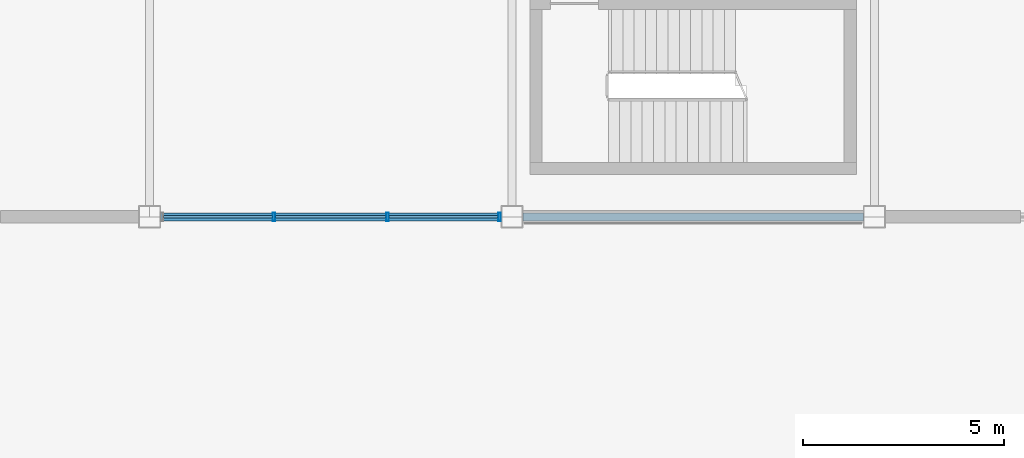
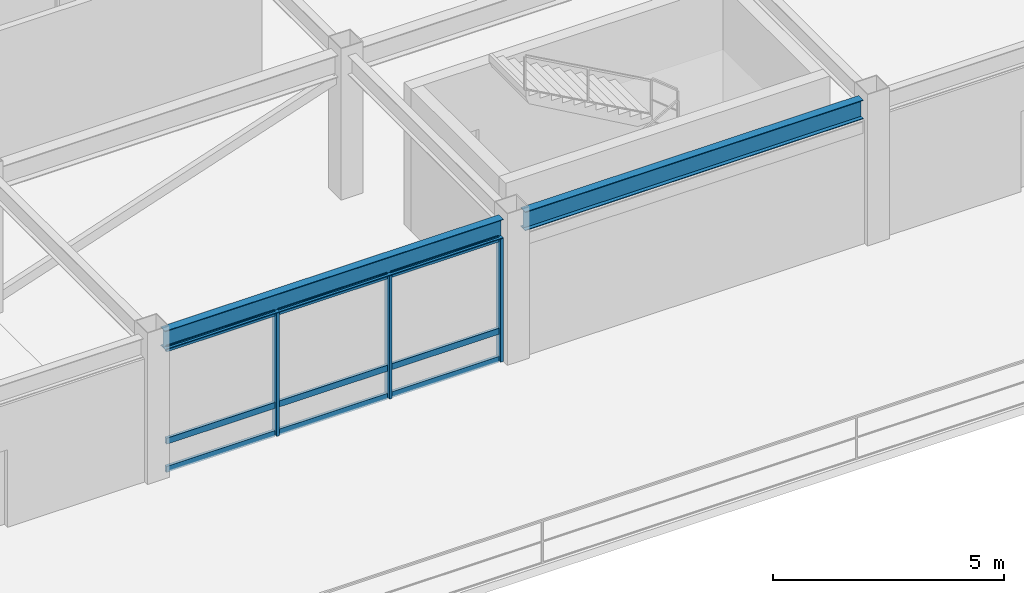
# One storey, part 36 of 122: 12 members, 2 beams, 1 element without a shape of its own.
"""IFC4 building model written with IfcOpenShell, lengths in metres."""

from ifc_helpers import new_model, si_unit, direction, frame, origin, origin_2d, place, context, subcontext, project, spatial, hollow_rectangle, i_section, extrude, material, material_profile, profile_set, type_object, element, aggregate, save


model = new_model("IFC4")

# Units and contexts
model_context = context("Model", 3, precision=1e-05, world=origin(), true_north=direction((0.0, 1.0)))
body_context = subcontext(model_context, "Body", "Model", "MODEL_VIEW")
ifc_project = project(units=[si_unit("LENGTHUNIT", "METRE"), si_unit("AREAUNIT", "SQUARE_METRE"), si_unit("VOLUMEUNIT", "CUBIC_METRE"), si_unit("PLANEANGLEUNIT", "RADIAN"), si_unit("MASSUNIT", "GRAM", prefix="KILO")], contexts=[model_context])

# Site, building, storey
site_placement = place(None, origin())
site = spatial("IfcSite", under=ifc_project, at=site_placement, CompositionType="ELEMENT")
building_placement = place(site_placement, origin())
building = spatial("IfcBuilding", under=site, at=building_placement, Name="Kazanami Central Library", CompositionType="ELEMENT")
storey_placement = place(building_placement, frame((0.0, 0.0, 4.800048828125)))
storey = spatial("IfcBuildingStorey", under=building, at=storey_placement, Name="L02", CompositionType="ELEMENT", Elevation=4.800048828125)

# Beams
ifc_material_1 = material(Name="Steel SN490B (325 MPa)", Category="steel")
ifc_material_profile_1 = material_profile(ifc_material_1, i_section(OverallWidth=0.199951171875, OverallDepth=0.5, WebThickness=0.010009765625, FlangeThickness=0.01611328125, at=origin_2d()), Name="H-500x200x10x16")
ifc_profile_set_1 = profile_set([ifc_material_profile_1], Name="Steel SN490B (325 MPa)")
beam_type = type_object("IfcBeamType", Name="BM-SP-1", PredefinedType="SPANDREL", material=ifc_profile_set_1)
for number, where, z_axis, x_axis, name in (
    (1, (63.27294921875, 21.60009765625, 3.5048828125), (1.0, 0.0, 0.0), (0.0, 1.0, 0.0), "Girder SP-1 L02 D/8-9"),
    (2, (72.27294921875, 21.60009765625, 3.5048828125), (1.0, 0.0, 0.0), (0.0, 1.0, 0.0), "Girder SP-1 L02 D/9-10"),
):
    element("IfcBeam", number, at=place(storey_placement, frame(where, z_axis=z_axis, x_axis=x_axis)), inside=storey, type_object=beam_type, Name=name, PredefinedType="SPANDREL", context=body_context, shape_type="SweptSolid", body=[
        extrude(i_section(OverallWidth=0.199951171875, OverallDepth=0.5, WebThickness=0.010009765625, FlangeThickness=0.01611328125, at=origin_2d()), origin(), (0.0, 0.0, 1.0), 8.4541015625),
    ])

# Curtain wall, members
ifc_material_2 = material(Name="Acid-Etched Low-E Laminated Glass", Category="glass")
curtain_wall_type = type_object("IfcCurtainWallType", Name="CW-8450x3255-M275", PredefinedType="USERDEFINED", material=ifc_material_2)
curtain_wall_placement = place(storey_placement, origin())
curtain_wall = element("IfcCurtainWall", 3, at=curtain_wall_placement, inside=storey, type_object=curtain_wall_type, Name="Unitised Curtain Wall CW-13 L02 S-D-07", ObjectType="UNITISED CURTAIN WALL", PredefinedType="USERDEFINED")
ifc_material_3 = material(Name="Anodised Aluminium A6063-T5", Category="aluminium")
ifc_material_profile_2 = material_profile(ifc_material_3, hollow_rectangle(XDim=0.070068359375, YDim=0.2099609375, WallThickness=0.0048828125, at=origin_2d()), Name="ALU-MULL-70x210x5")
ifc_profile_set_2 = profile_set([ifc_material_profile_2], Name="Anodised Aluminium A6063-T5")
member_type_1 = type_object("IfcMemberType", Name="MEM-CW-M1", PredefinedType="MULLION", material=ifc_profile_set_2)
member_1_placement = place(storey_placement, frame((66.091552734375, 21.60009765625, 0.0), z_axis=(0.0, 0.0, 1.0), x_axis=(1.0, 0.0, 0.0)))
member_1 = element("IfcMember", 4, at=member_1_placement, type_object=member_type_1, Name="CW-13 mullion 2", PredefinedType="MULLION", context=body_context, shape_type="SweptSolid", body=[
    extrude(hollow_rectangle(XDim=0.070068359375, YDim=0.2099609375, WallThickness=0.0048828125, at=origin_2d()), origin(), (0.0, 0.0, 1.0), 3.2548828125),
])
member_2_placement = place(storey_placement, frame((68.908447265625, 21.60009765625, 0.0), z_axis=(0.0, 0.0, 1.0), x_axis=(1.0, 0.0, 0.0)))
member_2 = element("IfcMember", 5, at=member_2_placement, type_object=member_type_1, Name="CW-13 mullion 3", PredefinedType="MULLION", context=body_context, shape_type="SweptSolid", body=[
    extrude(hollow_rectangle(XDim=0.070068359375, YDim=0.2099609375, WallThickness=0.0048828125, at=origin_2d()), origin(), (0.0, 0.0, 1.0), 3.2548828125),
])
member_3_placement = place(storey_placement, frame((71.68994140625, 21.60009765625, 0.0), z_axis=(0.0, 0.0, 1.0), x_axis=(1.0, 0.0, 0.0)))
member_3 = element("IfcMember", 6, at=member_3_placement, type_object=member_type_1, Name="CW-13 mullion 4", PredefinedType="MULLION", context=body_context, shape_type="SweptSolid", body=[
    extrude(hollow_rectangle(XDim=0.070068359375, YDim=0.2099609375, WallThickness=0.0048828125, at=origin_2d()), origin(), (0.0, 0.0, 1.0), 3.2548828125),
])
ifc_material_profile_3 = material_profile(ifc_material_3, hollow_rectangle(XDim=0.070068359375, YDim=0.159912109375, WallThickness=0.00390625, at=origin_2d()), Name="ALU-TRAN-70x160x4")
ifc_profile_set_3 = profile_set([ifc_material_profile_3], Name="Anodised Aluminium A6063-T5")
member_type_2 = type_object("IfcMemberType", Name="MEM-CW-T1", PredefinedType="USERDEFINED", material=ifc_profile_set_3)
member_4_placement = place(storey_placement, frame((63.344970703125, 21.60009765625, 0.034912109375), z_axis=(1.0, 0.0, 0.0), x_axis=(0.0, 1.0, 0.0)))
member_4 = element("IfcMember", 7, at=member_4_placement, type_object=member_type_2, Name="CW-13 transom 1.1", ObjectType="TRANSOM", PredefinedType="USERDEFINED", context=body_context, shape_type="SweptSolid", body=[
    extrude(hollow_rectangle(XDim=0.070068359375, YDim=0.159912109375, WallThickness=0.00390625, at=origin_2d()), origin(), (0.0, 0.0, 1.0), 2.711669921875),
])
member_5_placement = place(storey_placement, frame((63.344970703125, 21.60009765625, 0.780029296875), z_axis=(1.0, 0.0, 0.0), x_axis=(0.0, 1.0, 0.0)))
member_5 = element("IfcMember", 8, at=member_5_placement, type_object=member_type_2, Name="CW-13 transom 1.2", ObjectType="TRANSOM", PredefinedType="USERDEFINED", context=body_context, shape_type="SweptSolid", body=[
    extrude(hollow_rectangle(XDim=0.070068359375, YDim=0.159912109375, WallThickness=0.00390625, at=origin_2d()), origin(), (0.0, 0.0, 1.0), 2.711669921875),
])
member_6_placement = place(storey_placement, frame((63.344970703125, 21.60009765625, 3.219970703125), z_axis=(1.0, 0.0, 0.0), x_axis=(0.0, 1.0, 0.0)))
member_6 = element("IfcMember", 9, at=member_6_placement, type_object=member_type_2, Name="CW-13 transom 1.3", ObjectType="TRANSOM", PredefinedType="USERDEFINED", context=body_context, shape_type="SweptSolid", body=[
    extrude(hollow_rectangle(XDim=0.070068359375, YDim=0.159912109375, WallThickness=0.00390625, at=origin_2d()), origin(), (0.0, 0.0, 1.0), 2.711669921875),
])
member_7_placement = place(storey_placement, frame((66.126708984375, 21.60009765625, 0.034912109375), z_axis=(1.0, 0.0, 0.0), x_axis=(0.0, 1.0, 0.0)))
member_7 = element("IfcMember", 10, at=member_7_placement, type_object=member_type_2, Name="CW-13 transom 2.1", ObjectType="TRANSOM", PredefinedType="USERDEFINED", context=body_context, shape_type="SweptSolid", body=[
    extrude(hollow_rectangle(XDim=0.070068359375, YDim=0.159912109375, WallThickness=0.00390625, at=origin_2d()), origin(), (0.0, 0.0, 1.0), 2.74658203125),
])
member_8_placement = place(storey_placement, frame((66.126708984375, 21.60009765625, 0.780029296875), z_axis=(1.0, 0.0, 0.0), x_axis=(0.0, 1.0, 0.0)))
member_8 = element("IfcMember", 11, at=member_8_placement, type_object=member_type_2, Name="CW-13 transom 2.2", ObjectType="TRANSOM", PredefinedType="USERDEFINED", context=body_context, shape_type="SweptSolid", body=[
    extrude(hollow_rectangle(XDim=0.070068359375, YDim=0.159912109375, WallThickness=0.00390625, at=origin_2d()), origin(), (0.0, 0.0, 1.0), 2.74658203125),
])
member_9_placement = place(storey_placement, frame((66.126708984375, 21.60009765625, 3.219970703125), z_axis=(1.0, 0.0, 0.0), x_axis=(0.0, 1.0, 0.0)))
member_9 = element("IfcMember", 12, at=member_9_placement, type_object=member_type_2, Name="CW-13 transom 2.3", ObjectType="TRANSOM", PredefinedType="USERDEFINED", context=body_context, shape_type="SweptSolid", body=[
    extrude(hollow_rectangle(XDim=0.070068359375, YDim=0.159912109375, WallThickness=0.00390625, at=origin_2d()), origin(), (0.0, 0.0, 1.0), 2.74658203125),
])
member_10_placement = place(storey_placement, frame((68.943359375, 21.60009765625, 0.034912109375), z_axis=(1.0, 0.0, 0.0), x_axis=(0.0, 1.0, 0.0)))
member_10 = element("IfcMember", 13, at=member_10_placement, type_object=member_type_2, Name="CW-13 transom 3.1", ObjectType="TRANSOM", PredefinedType="USERDEFINED", context=body_context, shape_type="SweptSolid", body=[
    extrude(hollow_rectangle(XDim=0.070068359375, YDim=0.159912109375, WallThickness=0.00390625, at=origin_2d()), origin(), (0.0, 0.0, 1.0), 2.711669921875),
])
member_11_placement = place(storey_placement, frame((68.943359375, 21.60009765625, 0.780029296875), z_axis=(1.0, 0.0, 0.0), x_axis=(0.0, 1.0, 0.0)))
member_11 = element("IfcMember", 14, at=member_11_placement, type_object=member_type_2, Name="CW-13 transom 3.2", ObjectType="TRANSOM", PredefinedType="USERDEFINED", context=body_context, shape_type="SweptSolid", body=[
    extrude(hollow_rectangle(XDim=0.070068359375, YDim=0.159912109375, WallThickness=0.00390625, at=origin_2d()), origin(), (0.0, 0.0, 1.0), 2.711669921875),
])
member_12_placement = place(storey_placement, frame((68.943359375, 21.60009765625, 3.219970703125), z_axis=(1.0, 0.0, 0.0), x_axis=(0.0, 1.0, 0.0)))
member_12 = element("IfcMember", 15, at=member_12_placement, type_object=member_type_2, Name="CW-13 transom 3.3", ObjectType="TRANSOM", PredefinedType="USERDEFINED", context=body_context, shape_type="SweptSolid", body=[
    extrude(hollow_rectangle(XDim=0.070068359375, YDim=0.159912109375, WallThickness=0.00390625, at=origin_2d()), origin(), (0.0, 0.0, 1.0), 2.711669921875),
])
aggregate(curtain_wall, [member_1, member_2, member_3, member_4, member_5, member_6, member_7, member_8, member_9, member_10, member_11, member_12])

save(model, "model.ifc")
